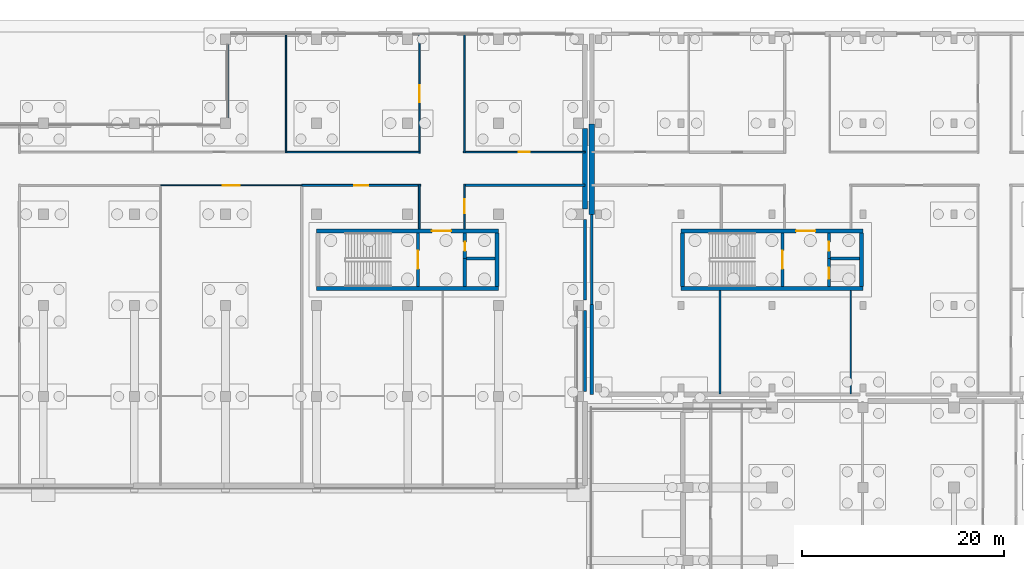
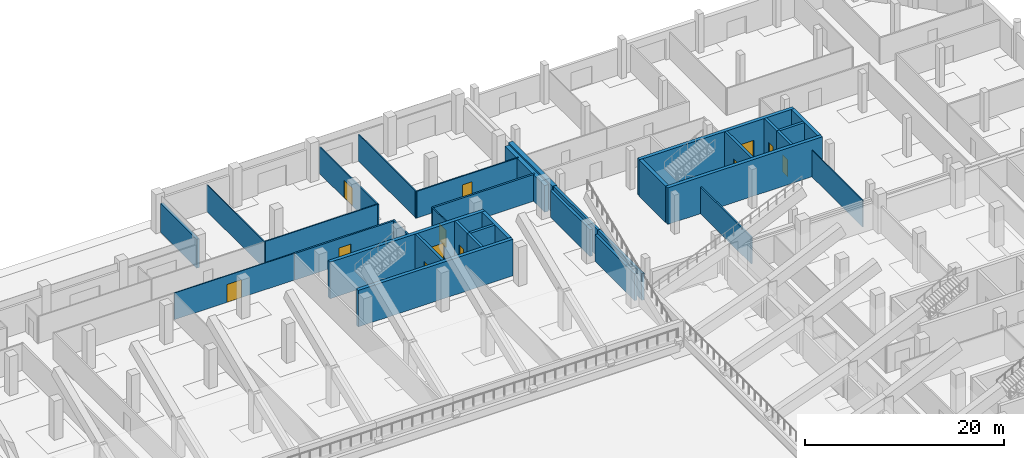
# One storey, part 37 of 53: 34 walls, 12 doors, 12 openings.
"""IFC4 building model written with IfcOpenShell, lengths in metres."""

from ifc_helpers import new_model, si_unit, direction, frame, frame_2d, origin, place, context, subcontext, project, spatial, rectangle, extrude, material, layer, layer_set, type_object, element, fill, save


model = new_model("IFC4")

# Units and contexts
model_context = context("Model", 3, precision=1e-05, world=origin(), true_north=direction((0.0, 1.0)))
body_context = subcontext(model_context, "Body", "Model", "MODEL_VIEW")
ifc_project = project(units=[si_unit("LENGTHUNIT", "METRE"), si_unit("AREAUNIT", "SQUARE_METRE"), si_unit("VOLUMEUNIT", "CUBIC_METRE"), si_unit("PLANEANGLEUNIT", "RADIAN"), si_unit("MASSUNIT", "GRAM", prefix="KILO"), si_unit("THERMODYNAMICTEMPERATUREUNIT", "KELVIN"), si_unit("POWERUNIT", "WATT")], contexts=[model_context])

# Site, building, storey
site_placement = place(None, origin())
site = spatial("IfcSite", under=ifc_project, at=site_placement, CompositionType="ELEMENT")
building_placement = place(site_placement, origin())
building = spatial("IfcBuilding", under=site, at=building_placement, Name="Sindhuravela Promenade Stadium", CompositionType="ELEMENT")
storey_placement = place(building_placement, origin())
storey = spatial("IfcBuildingStorey", under=building, at=storey_placement, Name="L00", CompositionType="ELEMENT", Elevation=0.0)

# Walls
ifc_material_1 = material(Name="Dholpur sandstone ashlar (45 MPa)", Category="masonry")
ifc_layer_1 = layer(ifc_material_1, 0.2900390625)
ifc_layer_set_1 = layer_set([ifc_layer_1], Name="Dholpur sandstone ashlar (45 MPa)")
wall_type_1 = type_object("IfcWallType", Name="EX-WL-SND290", PredefinedType="SOLIDWALL", material=ifc_layer_set_1)
wall_1_placement = place(storey_placement, frame((126.199951171875, 153.5048828125, 0.0), z_axis=(0.0, 0.0, 1.0), x_axis=(0.0, 1.0, 0.0)))
element("IfcWall", 1, at=wall_1_placement, inside=storey, type_object=wall_type_1, Name="Exterior masonry wall EW10 NORTH L00", PredefinedType="SOLIDWALL", context=body_context, shape_type="SweptSolid", body=[
    extrude(rectangle(XDim=7.2900390625, YDim=0.2900390625, at=frame_2d((3.64501953125, 0.0))), origin(), (0.0, 0.0, 1.0), 3.580078125),
])
wall_2_placement = place(storey_placement, frame((161.550048828125, 134.4951171875, 0.0), z_axis=(0.0, 0.0, 1.0), x_axis=(0.0, -1.0, 0.0)))
element("IfcWall", 2, at=wall_2_placement, inside=storey, type_object=wall_type_1, Name="Exterior masonry wall EW10 NORTH L00", PredefinedType="SOLIDWALL", context=body_context, shape_type="SweptSolid", body=[
    extrude(rectangle(XDim=7.990234375, YDim=0.2900390625, at=frame_2d((3.9951171875, 0.0))), origin(), (0.0, 0.0, 1.0), 3.280029296875),
])
wall_3_placement = place(storey_placement, frame((162.199951171875, 135.10009765625, 0.0), z_axis=(0.0, 0.0, 1.0), x_axis=(0.0, 1.0, 0.0)))
element("IfcWall", 3, at=wall_3_placement, inside=storey, type_object=wall_type_1, Name="Exterior masonry wall EW10 Pavilion NE L00", PredefinedType="SOLIDWALL", context=body_context, shape_type="SweptSolid", body=[
    extrude(rectangle(XDim=8.89990234375, YDim=0.2900390625, at=frame_2d((4.449951171875, 0.0))), origin(), (0.0, 0.0, 1.0), 3.280029296875),
])
ifc_layer_2 = layer(ifc_material_1, 0.31005859375)
ifc_layer_set_2 = layer_set([ifc_layer_2], Name="Dholpur sandstone ashlar (45 MPa)")
wall_type_2 = type_object("IfcWallType", Name="EX-WL-SND310", PredefinedType="SOLIDWALL", material=ifc_layer_set_2)
wall_4_placement = place(storey_placement, frame((161.550048828125, 143.4951171875, 0.0), z_axis=(0.0, 0.0, 1.0), x_axis=(0.0, -1.0, 0.0)))
element("IfcWall", 4, at=wall_4_placement, inside=storey, type_object=wall_type_2, Name="Exterior masonry wall EW09 NORTH L00", PredefinedType="SOLIDWALL", context=body_context, shape_type="SweptSolid", body=[
    extrude(rectangle(XDim=7.990234375, YDim=0.31005859375, at=frame_2d((3.9951171875, 0.0))), origin(), (0.0, 0.0, 1.0), 3.280029296875),
])
wall_5_placement = place(storey_placement, frame((162.199951171875, 126.199951171875, 0.0), z_axis=(0.0, 0.0, 1.0), x_axis=(0.0, 1.0, 0.0)))
element("IfcWall", 5, at=wall_5_placement, inside=storey, type_object=wall_type_2, Name="Exterior masonry wall EW09 Pavilion NE L00", PredefinedType="SOLIDWALL", context=body_context, shape_type="SweptSolid", body=[
    extrude(rectangle(XDim=8.900146484375, YDim=0.31005859375, at=frame_2d((4.4501953125, 0.0))), origin(), (0.0, 0.0, 1.0), 3.280029296875),
])
ifc_layer_3 = layer(ifc_material_1, 0.47998046875)
ifc_layer_set_3 = layer_set([ifc_layer_3], Name="Dholpur sandstone ashlar (45 MPa)")
wall_type_3 = type_object("IfcWallType", Name="EX-WL-SND480", PredefinedType="SOLIDWALL", material=ifc_layer_set_3)
wall_6_placement = place(storey_placement, frame((161.550048828125, 152.4951171875, 0.0), z_axis=(0.0, 0.0, 1.0), x_axis=(0.0, -1.0, 0.0)))
element("IfcWall", 6, at=wall_6_placement, inside=storey, type_object=wall_type_3, Name="Exterior masonry wall EW08 NORTH L00", PredefinedType="SOLIDWALL", context=body_context, shape_type="SweptSolid", body=[
    extrude(rectangle(XDim=7.990234375, YDim=0.47998046875, at=frame_2d((3.9951171875, 0.0))), origin(), (0.0, 0.0, 1.0), 3.280029296875),
])
ifc_layer_4 = layer(ifc_material_1, 0.5)
ifc_layer_set_4 = layer_set([ifc_layer_4], Name="Dholpur sandstone ashlar (45 MPa)")
wall_type_4 = type_object("IfcWallType", Name="EX-WL-SND500", PredefinedType="SOLIDWALL", material=ifc_layer_set_4)
wall_7_placement = place(storey_placement, frame((162.199951171875, 144.0, 0.0), z_axis=(0.0, 0.0, 1.0), x_axis=(0.0, 1.0, 0.0)))
element("IfcWall", 7, at=wall_7_placement, inside=storey, type_object=wall_type_4, Name="Exterior masonry wall EW07 Pavilion NE L00", PredefinedType="SOLIDWALL", context=body_context, shape_type="SweptSolid", body=[
    extrude(rectangle(XDim=8.89990234375, YDim=0.5, at=frame_2d((4.449951171875, 0.0))), origin(), (0.0, 0.0, 1.0), 3.280029296875),
])

# Wall, opening, door
ifc_material_2 = material(Name="Fire-rated gypsum partition board", Category="gypsum")
ifc_layer_5 = layer(ifc_material_2, 0.110107421875)
ifc_layer_set_5 = layer_set([ifc_layer_5], Name="Fire-rated gypsum partition board")
wall_type_5 = type_object("IfcWallType", Name="IN-WL-PAR110", PredefinedType="PARTITIONING", material=ifc_layer_set_5)
wall_8_placement = place(storey_placement, frame((133.534912109375, 146.860107421875, 0.0), z_axis=(0.0, 0.0, 1.0), x_axis=(-1.0, 0.0, 0.0)))
wall_8 = element("IfcWall", 8, at=wall_8_placement, inside=storey, type_object=wall_type_5, Name="Corridor partition IW06 Grounds Equipment Store", PredefinedType="PARTITIONING", context=body_context, shape_type="SweptSolid", body=[
    extrude(rectangle(XDim=13.947509765625, YDim=0.110107421875, at=frame_2d((6.9736328125, 0.0))), origin(), (0.0, 0.0, 1.0), 3.280029296875),
])
opening_1_placement = place(wall_8_placement, frame((6.123779296875, 0.0, 0.0)))
opening_1 = element("IfcOpeningElement", 9, at=opening_1_placement, cuts=wall_8, Name="Opening ID01", PredefinedType="OPENING", context=body_context, shape_type="SweptSolid", body=[
    extrude(rectangle(XDim=1.699951171875, YDim=2.199951171875, at=frame_2d((0.85009765625, 1.10009765625))), frame((0.0, 0.06494140625, 0.0), z_axis=(0.0, -1.0, 0.0), x_axis=(1.0, 0.0, 0.0)), (0.0, 0.0, 1.0), 0.130126953125),
])
ifc_material_3 = material(Name="Architectural teak timber leaf", Category="wood")
door_type_1 = type_object("IfcDoorType", Name="DR-INT-1700x2200", OperationType="DOUBLE_DOOR_SINGLE_SWING", PredefinedType="DOOR", material=ifc_material_3)
door_1_placement = place(opening_1_placement, origin())
door_1 = element("IfcDoor", 10, at=door_1_placement, inside=storey, type_object=door_type_1, Name="Grounds Equipment Store door", OperationType="DOUBLE_DOOR_SINGLE_SWING", OverallHeight=2.199951171875, OverallWidth=1.699951171875, PredefinedType="DOOR", context=body_context, shape_type="SweptSolid", body=[
    extrude(rectangle(XDim=1.699951171875, YDim=2.199951171875, at=frame_2d((0.85009765625, 1.10009765625))), frame((0.0, 0.02490234375, 0.0), z_axis=(0.0, -1.0, 0.0), x_axis=(1.0, 0.0, 0.0)), (0.0, 0.0, 1.0), 0.050048828125),
])
fill(opening_1, door_1)

# Walls
wall_9_placement = place(storey_placement, frame((131.98681640625, 150.06005859375, 0.0), z_axis=(0.0, 0.0, 1.0), x_axis=(0.0, 1.0, 0.0)))
element("IfcWall", 11, at=wall_9_placement, inside=storey, type_object=wall_type_5, Name="Interior partition IW06 NORTH L00", PredefinedType="PARTITIONING", context=body_context, shape_type="SweptSolid", body=[
    extrude(rectangle(XDim=11.699951171875, YDim=0.110107421875, at=frame_2d((5.85009765625, 0.0))), origin(), (0.0, 0.0, 1.0), 3.280029296875),
])
wall_10_placement = place(storey_placement, frame((187.800048828125, 126.239990234375, 0.0), z_axis=(0.0, 0.0, 1.0), x_axis=(0.0, 1.0, 0.0)))
element("IfcWall", 12, at=wall_10_placement, inside=storey, type_object=wall_type_5, Name="Interior partition IW06 Pavilion NE L00", PredefinedType="PARTITIONING", context=body_context, shape_type="SweptSolid", body=[
    extrude(rectangle(XDim=10.2080078125, YDim=0.110107421875, at=frame_2d((5.10400390625, 0.0))), origin(), (0.0, 0.0, 1.0), 3.280029296875),
])

# Wall, opening, door
ifc_layer_6 = layer(ifc_material_2, 0.1298828125)
ifc_layer_set_6 = layer_set([ifc_layer_6], Name="Fire-rated gypsum partition board")
wall_type_6 = type_object("IfcWallType", Name="IN-WL-PAR130", PredefinedType="PARTITIONING", material=ifc_layer_set_6)
wall_11_placement = place(storey_placement, frame((149.639892578125, 146.97998046875, 0.0), z_axis=(0.0, 0.0, 1.0), x_axis=(0.0, -1.0, 0.0)))
wall_11 = element("IfcWall", 13, at=wall_11_placement, inside=storey, type_object=wall_type_6, Name="Corridor partition IW05 Concourse Food Kiosk North L00", PredefinedType="PARTITIONING", context=body_context, shape_type="SweptSolid", body=[
    extrude(rectangle(XDim=4.427978515625, YDim=0.1298828125, at=frame_2d((2.2138671875, 0.0))), origin(), (0.0, 0.0, 1.0), 3.280029296875),
])
opening_2_placement = place(wall_11_placement, frame((1.5, 0.0, 0.0)))
opening_2 = element("IfcOpeningElement", 14, at=opening_2_placement, cuts=wall_11, Name="Opening ID03", PredefinedType="OPENING", context=body_context, shape_type="SweptSolid", body=[
    extrude(rectangle(XDim=1.39990234375, YDim=2.14990234375, at=frame_2d((0.699951171875, 1.074951171875))), frame((0.0, 0.074951171875, 0.0), z_axis=(0.0, -1.0, 0.0), x_axis=(1.0, 0.0, 0.0)), (0.0, 0.0, 1.0), 0.14990234375),
])
door_type_2 = type_object("IfcDoorType", Name="DR-INT-1400x2150", OperationType="DOUBLE_DOOR_SINGLE_SWING", PredefinedType="DOOR", material=ifc_material_3)
door_2_placement = place(opening_2_placement, origin())
door_2 = element("IfcDoor", 15, at=door_2_placement, inside=storey, type_object=door_type_2, Name="Concourse Food Kiosk North L00 door", OperationType="DOUBLE_DOOR_SINGLE_SWING", OverallHeight=2.14990234375, OverallWidth=1.39990234375, PredefinedType="DOOR", context=body_context, shape_type="SweptSolid", body=[
    extrude(rectangle(XDim=1.39990234375, YDim=2.14990234375, at=frame_2d((0.699951171875, 1.074951171875))), frame((0.0, 0.02490234375, 0.0), z_axis=(0.0, -1.0, 0.0), x_axis=(1.0, 0.0, 0.0)), (0.0, 0.0, 1.0), 0.050048828125),
])
fill(opening_2, door_2)

# Walls
wall_12_placement = place(storey_placement, frame((145.239990234375, 150.139892578125, 0.0), z_axis=(0.0, 0.0, 1.0), x_axis=(-1.0, 0.0, 0.0)))
element("IfcWall", 16, at=wall_12_placement, inside=storey, type_object=wall_type_6, Name="Interior partition IW05 NORTH L00", PredefinedType="PARTITIONING", context=body_context, shape_type="SweptSolid", body=[
    extrude(rectangle(XDim=13.21337890625, YDim=0.1298828125, at=frame_2d((6.606689453125, 0.0))), origin(), (0.0, 0.0, 1.0), 3.280029296875),
])
wall_13_placement = place(storey_placement, frame((149.639892578125, 150.06005859375, 0.0), z_axis=(0.0, 0.0, 1.0), x_axis=(0.0, 1.0, 0.0)))
element("IfcWall", 17, at=wall_13_placement, inside=storey, type_object=wall_type_6, Name="Interior partition IW05 NORTH L00", PredefinedType="PARTITIONING", context=body_context, shape_type="SweptSolid", body=[
    extrude(rectangle(XDim=11.699951171875, YDim=0.1298828125, at=frame_2d((5.85009765625, 0.0))), origin(), (0.0, 0.0, 1.0), 3.280029296875),
])

# Wall, opening, door
ifc_layer_7 = layer(ifc_material_2, 0.14990234375)
ifc_layer_set_7 = layer_set([ifc_layer_7], Name="Fire-rated gypsum partition board")
wall_type_7 = type_object("IfcWallType", Name="IN-WL-PAR150", PredefinedType="PARTITIONING", material=ifc_layer_set_7)
wall_14_placement = place(storey_placement, frame((145.159912109375, 150.02001953125, 0.0), z_axis=(0.0, 0.0, 1.0), x_axis=(0.0, 1.0, 0.0)))
wall_14 = element("IfcWall", 18, at=wall_14_placement, inside=storey, type_object=wall_type_7, Name="Corridor partition IW04 North Field Concourse Hall 2", PredefinedType="PARTITIONING", context=body_context, shape_type="SweptSolid", body=[
    extrude(rectangle(XDim=11.780029296875, YDim=0.14990234375, at=frame_2d((5.89013671875, 0.0))), origin(), (0.0, 0.0, 1.0), 3.280029296875),
])
opening_3_placement = place(wall_14_placement, frame((5.0400390625, 0.0, 0.0)))
opening_3 = element("IfcOpeningElement", 19, at=opening_3_placement, cuts=wall_14, Name="Opening ID01", PredefinedType="OPENING", context=body_context, shape_type="SweptSolid", body=[
    extrude(rectangle(XDim=1.699951171875, YDim=2.199951171875, at=frame_2d((0.85009765625, 1.10009765625))), frame((0.0, 0.0849609375, 0.0), z_axis=(0.0, -1.0, 0.0), x_axis=(1.0, 0.0, 0.0)), (0.0, 0.0, 1.0), 0.169921875),
])
door_3_placement = place(opening_3_placement, origin())
door_3 = element("IfcDoor", 20, at=door_3_placement, inside=storey, type_object=door_type_1, Name="North Field Concourse Hall 2 door", OperationType="DOUBLE_DOOR_SINGLE_SWING", OverallHeight=2.199951171875, OverallWidth=1.699951171875, PredefinedType="DOOR", context=body_context, shape_type="SweptSolid", body=[
    extrude(rectangle(XDim=1.699951171875, YDim=2.199951171875, at=frame_2d((0.85009765625, 1.10009765625))), frame((0.0, 0.02490234375, 0.0), z_axis=(0.0, -1.0, 0.0), x_axis=(1.0, 0.0, 0.0)), (0.0, 0.0, 1.0), 0.050048828125),
])
fill(opening_3, door_3)

wall_15_placement = place(storey_placement, frame((149.52001953125, 150.139892578125, 0.0), z_axis=(0.0, 0.0, 1.0), x_axis=(1.0, 0.0, 0.0)))
wall_15 = element("IfcWall", 21, at=wall_15_placement, inside=storey, type_object=wall_type_7, Name="Corridor partition IW04 Electrical Substation Switch Room 4", PredefinedType="PARTITIONING", context=body_context, shape_type="SweptSolid", body=[
    extrude(rectangle(XDim=12.030029296875, YDim=0.14990234375, at=frame_2d((6.01513671875, 0.0))), origin(), (0.0, 0.0, 1.0), 3.280029296875),
])
opening_4_placement = place(wall_15_placement, frame((5.455078125, 0.0, 0.0)))
opening_4 = element("IfcOpeningElement", 22, at=opening_4_placement, cuts=wall_15, Name="Opening ID13", PredefinedType="OPENING", context=body_context, shape_type="SweptSolid", body=[
    extrude(rectangle(XDim=1.1201171875, YDim=2.219970703125, at=frame_2d((0.56005859375, 1.10986328125))), frame((0.0, 0.0849609375, 0.0), z_axis=(0.0, -1.0, 0.0), x_axis=(1.0, 0.0, 0.0)), (0.0, 0.0, 1.0), 0.169921875),
])
door_type_3 = type_object("IfcDoorType", Name="DR-INT-1120x2220", OperationType="NOTDEFINED", PredefinedType="DOOR", material=ifc_material_3)
door_4_placement = place(opening_4_placement, origin())
door_4 = element("IfcDoor", 23, at=door_4_placement, inside=storey, type_object=door_type_3, Name="Electrical Substation Switch Room 4 door", OperationType="SINGLE_SWING_LEFT", OverallHeight=2.219970703125, OverallWidth=1.1201171875, PredefinedType="DOOR", context=body_context, shape_type="SweptSolid", body=[
    extrude(rectangle(XDim=1.1201171875, YDim=2.219970703125, at=frame_2d((0.56005859375, 1.10986328125))), frame((0.0, 0.02490234375, 0.0), z_axis=(0.0, -1.0, 0.0), x_axis=(1.0, 0.0, 0.0)), (0.0, 0.0, 1.0), 0.050048828125),
])
fill(opening_4, door_4)

# Walls
ifc_layer_8 = layer(ifc_material_2, 0.175048828125)
ifc_layer_set_8 = layer_set([ifc_layer_8], Name="Fire-rated gypsum partition board")
wall_type_8 = type_object("IfcWallType", Name="IN-WL-PAR175", PredefinedType="PARTITIONING", material=ifc_layer_set_8)
wall_16_placement = place(storey_placement, frame((145.159912109375, 146.93994140625, 0.0), z_axis=(0.0, 0.0, 1.0), x_axis=(0.0, -1.0, 0.0)))
element("IfcWall", 24, at=wall_16_placement, inside=storey, type_object=wall_type_8, Name="Interior partition IW03 NORTH L00", PredefinedType="PARTITIONING", context=body_context, shape_type="SweptSolid", body=[
    extrude(rectangle(XDim=4.387939453125, YDim=0.175048828125, at=frame_2d((2.19384765625, 0.0))), origin(), (0.0, 0.0, 1.0), 3.280029296875),
])
wall_17_placement = place(storey_placement, frame((174.8798828125, 136.447998046875, 0.0), z_axis=(0.0, 0.0, 1.0), x_axis=(0.0, -1.0, 0.0)))
element("IfcWall", 25, at=wall_17_placement, inside=storey, type_object=wall_type_8, Name="Interior partition IW03 Pavilion NE L00", PredefinedType="PARTITIONING", context=body_context, shape_type="SweptSolid", body=[
    extrude(rectangle(XDim=10.2080078125, YDim=0.175048828125, at=frame_2d((5.10400390625, 0.0))), origin(), (0.0, 0.0, 1.0), 3.280029296875),
])

# Wall, opening, door
ifc_layer_9 = layer(ifc_material_2, 0.195068359375)
ifc_layer_set_9 = layer_set([ifc_layer_9], Name="Fire-rated gypsum partition board")
wall_type_9 = type_object("IfcWallType", Name="IN-WL-PAR195", PredefinedType="PARTITIONING", material=ifc_layer_set_9)
wall_18_placement = place(storey_placement, frame((145.280029296875, 146.860107421875, 0.0), z_axis=(0.0, 0.0, 1.0), x_axis=(-1.0, 0.0, 0.0)))
wall_18 = element("IfcWall", 26, at=wall_18_placement, inside=storey, type_object=wall_type_9, Name="Corridor partition IW02 Public Toilet Block North L00", PredefinedType="PARTITIONING", context=body_context, shape_type="SweptSolid", body=[
    extrude(rectangle(XDim=11.7451171875, YDim=0.195068359375, at=frame_2d((5.87255859375, 0.0))), origin(), (0.0, 0.0, 1.0), 3.280029296875),
])
opening_5_placement = place(wall_18_placement, frame((5.172607421875, 0.0, 0.0)))
opening_5 = element("IfcOpeningElement", 27, at=opening_5_placement, cuts=wall_18, Name="Opening ID03", PredefinedType="OPENING", context=body_context, shape_type="SweptSolid", body=[
    extrude(rectangle(XDim=1.39990234375, YDim=2.14990234375, at=frame_2d((0.699951171875, 1.074951171875))), frame((0.0, 0.107421875, 0.0), z_axis=(0.0, -1.0, 0.0), x_axis=(1.0, 0.0, 0.0)), (0.0, 0.0, 1.0), 0.215087890625),
])
door_5_placement = place(opening_5_placement, origin())
door_5 = element("IfcDoor", 28, at=door_5_placement, inside=storey, type_object=door_type_2, Name="Public Toilet Block North L00 door", OperationType="DOUBLE_DOOR_SINGLE_SWING", OverallHeight=2.14990234375, OverallWidth=1.39990234375, PredefinedType="DOOR", context=body_context, shape_type="SweptSolid", body=[
    extrude(rectangle(XDim=1.39990234375, YDim=2.14990234375, at=frame_2d((0.699951171875, 1.074951171875))), frame((0.0, 0.02490234375, 0.0), z_axis=(0.0, -1.0, 0.0), x_axis=(1.0, 0.0, 0.0)), (0.0, 0.0, 1.0), 0.050048828125),
])
fill(opening_5, door_5)

# Wall
ifc_layer_10 = layer(ifc_material_2, 0.219970703125)
ifc_layer_set_10 = layer_set([ifc_layer_10], Name="Fire-rated gypsum partition board")
wall_type_10 = type_object("IfcWallType", Name="IN-WL-PAR220", PredefinedType="PARTITIONING", material=ifc_layer_set_10)
wall_19_placement = place(storey_placement, frame((149.56005859375, 146.860107421875, 0.0), z_axis=(0.0, 0.0, 1.0), x_axis=(1.0, 0.0, 0.0)))
element("IfcWall", 29, at=wall_19_placement, inside=storey, type_object=wall_type_10, Name="Interior partition IW01 NORTH L00", PredefinedType="PARTITIONING", context=body_context, shape_type="SweptSolid", body=[
    extrude(rectangle(XDim=11.949951171875, YDim=0.219970703125, at=frame_2d((5.97509765625, 0.0))), origin(), (0.0, 0.0, 1.0), 3.280029296875),
])

# Wall, opening, door
ifc_material_4 = material(Name="Concrete M50", Category="concrete")
ifc_layer_11 = layer(ifc_material_4, 0.300048828125)
ifc_layer_set_11 = layer_set([ifc_layer_11], Name="Concrete M50")
wall_type_11 = type_object("IfcWallType", Name="RC-SW-300", PredefinedType="SHEAR", material=ifc_layer_set_11)
wall_20_placement = place(storey_placement, frame((145.050048828125, 136.85009765625, 0.0), z_axis=(0.0, 0.0, 1.0), x_axis=(0.0, 1.0, 0.0)))
wall_20 = element("IfcWall", 30, at=wall_20_placement, inside=storey, type_object=wall_type_11, Name="Core shear wall C10-ST (L00)", PredefinedType="SHEAR", context=body_context, shape_type="SweptSolid", body=[
    extrude(rectangle(XDim=5.2998046875, YDim=0.300048828125, at=frame_2d((2.64990234375, 0.0))), origin(), (0.0, 0.0, 1.0), 4.5),
])
opening_6_placement = place(wall_20_placement, frame((1.75, 0.0, 0.0)))
opening_6 = element("IfcOpeningElement", 31, at=opening_6_placement, cuts=wall_20, Name="Opening FD01", PredefinedType="OPENING", context=body_context, shape_type="SweptSolid", body=[
    extrude(rectangle(XDim=1.800048828125, YDim=2.25, at=frame_2d((0.89990234375, 1.125))), frame((0.0, 0.159912109375, 0.0), z_axis=(0.0, -1.0, 0.0), x_axis=(1.0, 0.0, 0.0)), (0.0, 0.0, 1.0), 0.320068359375),
])
ifc_material_5 = material(Name="Architectural wrought steel E350", Category="steel")
door_type_4 = type_object("IfcDoorType", Name="DR-CORE-1800x2250", OperationType="DOUBLE_DOOR_SINGLE_SWING", PredefinedType="DOOR", material=ifc_material_5)
door_6_placement = place(opening_6_placement, origin())
door_6 = element("IfcDoor", 32, at=door_6_placement, inside=storey, type_object=door_type_4, Name="Stair ST10 lobby fire door (L00)", OperationType="DOUBLE_DOOR_SINGLE_SWING", OverallHeight=2.25, OverallWidth=1.800048828125, PredefinedType="DOOR", context=body_context, shape_type="SweptSolid", body=[
    extrude(rectangle(XDim=1.800048828125, YDim=2.25, at=frame_2d((0.89990234375, 1.125))), frame((0.0, 0.02490234375, 0.0), z_axis=(0.0, -1.0, 0.0), x_axis=(1.0, 0.0, 0.0)), (0.0, 0.0, 1.0), 0.050048828125),
])
fill(opening_6, door_6)

# Wall
wall_21_placement = place(storey_placement, frame((149.64990234375, 136.85009765625, 0.0), z_axis=(0.0, 0.0, 1.0), x_axis=(0.0, 1.0, 0.0)))
element("IfcWall", 33, at=wall_21_placement, inside=storey, type_object=wall_type_11, Name="Core shear wall C10-LFT (L00)", PredefinedType="SHEAR", context=body_context, shape_type="SweptSolid", body=[
    extrude(rectangle(XDim=2.7998046875, YDim=0.300048828125, at=frame_2d((1.39990234375, 0.0))), origin(), (0.0, 0.0, 1.0), 4.5),
])

# Wall, opening, door
wall_22_placement = place(storey_placement, frame((149.64990234375, 139.64990234375, 0.0), z_axis=(0.0, 0.0, 1.0), x_axis=(0.0, 1.0, 0.0)))
wall_22 = element("IfcWall", 34, at=wall_22_placement, inside=storey, type_object=wall_type_11, Name="Core shear wall C10-RSR (L00)", PredefinedType="SHEAR", context=body_context, shape_type="SweptSolid", body=[
    extrude(rectangle(XDim=2.5, YDim=0.300048828125, at=frame_2d((1.25, 0.0))), origin(), (0.0, 0.0, 1.0), 4.5),
])
opening_7_placement = place(wall_22_placement, frame((0.72509765625, 0.0, 0.0)))
opening_7 = element("IfcOpeningElement", 35, at=opening_7_placement, cuts=wall_22, Name="Opening FD03", PredefinedType="OPENING", context=body_context, shape_type="SweptSolid", body=[
    extrude(rectangle(XDim=0.89990234375, YDim=2.10009765625, at=frame_2d((0.449951171875, 1.050048828125))), frame((0.0, 0.159912109375, 0.0), z_axis=(0.0, -1.0, 0.0), x_axis=(1.0, 0.0, 0.0)), (0.0, 0.0, 1.0), 0.320068359375),
])
door_type_5 = type_object("IfcDoorType", Name="DR-RSR-900x2100", OperationType="NOTDEFINED", PredefinedType="DOOR", material=ifc_material_5)
door_7_placement = place(opening_7_placement, origin())
door_7 = element("IfcDoor", 36, at=door_7_placement, inside=storey, type_object=door_type_5, Name="Riser shaft access door C10 (L00)", OperationType="SINGLE_SWING_LEFT", OverallHeight=2.10009765625, OverallWidth=0.89990234375, PredefinedType="DOOR", context=body_context, shape_type="SweptSolid", body=[
    extrude(rectangle(XDim=0.89990234375, YDim=2.10009765625, at=frame_2d((0.449951171875, 1.050048828125))), frame((0.0, 0.02490234375, 0.0), z_axis=(0.0, -1.0, 0.0), x_axis=(1.0, 0.0, 0.0)), (0.0, 0.0, 1.0), 0.050048828125),
])
fill(opening_7, door_7)

# Wall
wall_23_placement = place(storey_placement, frame((149.800048828125, 139.64990234375, 0.0), z_axis=(0.0, 0.0, 1.0), x_axis=(1.0, 0.0, 0.0)))
element("IfcWall", 37, at=wall_23_placement, inside=storey, type_object=wall_type_11, Name="Core shear wall C10-DIV (L00)", PredefinedType="SHEAR", context=body_context, shape_type="SweptSolid", body=[
    extrude(rectangle(XDim=2.849853515625, YDim=0.300048828125, at=frame_2d((1.4248046875, 0.0))), origin(), (0.0, 0.0, 1.0), 4.5),
])

# Wall, opening, door
wall_24_placement = place(storey_placement, frame((181.050048828125, 136.85009765625, 0.0), z_axis=(0.0, 0.0, 1.0), x_axis=(0.0, 1.0, 0.0)))
wall_24 = element("IfcWall", 38, at=wall_24_placement, inside=storey, type_object=wall_type_11, Name="Core shear wall C16-ST (L00)", PredefinedType="SHEAR", context=body_context, shape_type="SweptSolid", body=[
    extrude(rectangle(XDim=5.2998046875, YDim=0.300048828125, at=frame_2d((2.64990234375, 0.0))), origin(), (0.0, 0.0, 1.0), 4.5),
])
opening_8_placement = place(wall_24_placement, frame((1.75, 0.0, 0.0)))
opening_8 = element("IfcOpeningElement", 39, at=opening_8_placement, cuts=wall_24, Name="Opening FD01", PredefinedType="OPENING", context=body_context, shape_type="SweptSolid", body=[
    extrude(rectangle(XDim=1.800048828125, YDim=2.25, at=frame_2d((0.89990234375, 1.125))), frame((0.0, 0.159912109375, 0.0), z_axis=(0.0, -1.0, 0.0), x_axis=(1.0, 0.0, 0.0)), (0.0, 0.0, 1.0), 0.320068359375),
])
door_8_placement = place(opening_8_placement, origin())
door_8 = element("IfcDoor", 40, at=door_8_placement, inside=storey, type_object=door_type_4, Name="Stair GS04 lobby fire door (L00)", OperationType="DOUBLE_DOOR_SINGLE_SWING", OverallHeight=2.25, OverallWidth=1.800048828125, PredefinedType="DOOR", context=body_context, shape_type="SweptSolid", body=[
    extrude(rectangle(XDim=1.800048828125, YDim=2.25, at=frame_2d((0.89990234375, 1.125))), frame((0.0, 0.02490234375, 0.0), z_axis=(0.0, -1.0, 0.0), x_axis=(1.0, 0.0, 0.0)), (0.0, 0.0, 1.0), 0.050048828125),
])
fill(opening_8, door_8)

wall_25_placement = place(storey_placement, frame((185.64990234375, 136.85009765625, 0.0), z_axis=(0.0, 0.0, 1.0), x_axis=(0.0, 1.0, 0.0)))
wall_25 = element("IfcWall", 41, at=wall_25_placement, inside=storey, type_object=wall_type_11, Name="Core shear wall C16-LFT (L00)", PredefinedType="SHEAR", context=body_context, shape_type="SweptSolid", body=[
    extrude(rectangle(XDim=2.7998046875, YDim=0.300048828125, at=frame_2d((1.39990234375, 0.0))), origin(), (0.0, 0.0, 1.0), 4.5),
])
opening_9_placement = place(wall_25_placement, frame((0.77490234375, 0.0, 0.0)))
opening_9 = element("IfcOpeningElement", 42, at=opening_9_placement, cuts=wall_25, Name="Opening LD", PredefinedType="OPENING", context=body_context, shape_type="SweptSolid", body=[
    extrude(rectangle(XDim=1.10009765625, YDim=2.10009765625, at=frame_2d((0.550048828125, 1.050048828125))), frame((0.0, 0.159912109375, 0.0), z_axis=(0.0, -1.0, 0.0), x_axis=(1.0, 0.0, 0.0)), (0.0, 0.0, 1.0), 0.320068359375),
])
door_type_6 = type_object("IfcDoorType", Name="DR-LFT-1100x2100", OperationType="DOUBLE_DOOR_SLIDING", PredefinedType="DOOR", material=ifc_material_5)
door_9_placement = place(opening_9_placement, origin())
door_9 = element("IfcDoor", 43, at=door_9_placement, inside=storey, type_object=door_type_6, Name="Lift PL08 landing door (L00)", OperationType="DOUBLE_DOOR_SLIDING", OverallHeight=2.10009765625, OverallWidth=1.10009765625, PredefinedType="DOOR", context=body_context, shape_type="SweptSolid", body=[
    extrude(rectangle(XDim=1.10009765625, YDim=2.10009765625, at=frame_2d((0.550048828125, 1.050048828125))), frame((0.0, 0.02490234375, 0.0), z_axis=(0.0, -1.0, 0.0), x_axis=(1.0, 0.0, 0.0)), (0.0, 0.0, 1.0), 0.050048828125),
])
fill(opening_9, door_9)

wall_26_placement = place(storey_placement, frame((185.64990234375, 139.64990234375, 0.0), z_axis=(0.0, 0.0, 1.0), x_axis=(0.0, 1.0, 0.0)))
wall_26 = element("IfcWall", 44, at=wall_26_placement, inside=storey, type_object=wall_type_11, Name="Core shear wall C16-RSR (L00)", PredefinedType="SHEAR", context=body_context, shape_type="SweptSolid", body=[
    extrude(rectangle(XDim=2.5, YDim=0.300048828125, at=frame_2d((1.25, 0.0))), origin(), (0.0, 0.0, 1.0), 4.5),
])
opening_10_placement = place(wall_26_placement, frame((0.72509765625, 0.0, 0.0)))
opening_10 = element("IfcOpeningElement", 45, at=opening_10_placement, cuts=wall_26, Name="Opening FD03", PredefinedType="OPENING", context=body_context, shape_type="SweptSolid", body=[
    extrude(rectangle(XDim=0.89990234375, YDim=2.10009765625, at=frame_2d((0.449951171875, 1.050048828125))), frame((0.0, 0.159912109375, 0.0), z_axis=(0.0, -1.0, 0.0), x_axis=(1.0, 0.0, 0.0)), (0.0, 0.0, 1.0), 0.320068359375),
])
door_10_placement = place(opening_10_placement, origin())
door_10 = element("IfcDoor", 46, at=door_10_placement, inside=storey, type_object=door_type_5, Name="Riser shaft access door C16 (L00)", OperationType="SINGLE_SWING_LEFT", OverallHeight=2.10009765625, OverallWidth=0.89990234375, PredefinedType="DOOR", context=body_context, shape_type="SweptSolid", body=[
    extrude(rectangle(XDim=0.89990234375, YDim=2.10009765625, at=frame_2d((0.449951171875, 1.050048828125))), frame((0.0, 0.02490234375, 0.0), z_axis=(0.0, -1.0, 0.0), x_axis=(1.0, 0.0, 0.0)), (0.0, 0.0, 1.0), 0.050048828125),
])
fill(opening_10, door_10)

# Walls
wall_27_placement = place(storey_placement, frame((185.800048828125, 139.64990234375, 0.0), z_axis=(0.0, 0.0, 1.0), x_axis=(1.0, 0.0, 0.0)))
element("IfcWall", 47, at=wall_27_placement, inside=storey, type_object=wall_type_11, Name="Core shear wall C16-DIV (L00)", PredefinedType="SHEAR", context=body_context, shape_type="SweptSolid", body=[
    extrude(rectangle(XDim=2.849853515625, YDim=0.300048828125, at=frame_2d((1.4248046875, 0.0))), origin(), (0.0, 0.0, 1.0), 4.5),
])
ifc_layer_12 = layer(ifc_material_4, 0.39990234375)
ifc_layer_set_12 = layer_set([ifc_layer_12], Name="Concrete M50")
wall_type_12 = type_object("IfcWallType", Name="RC-SW-400", PredefinedType="SHEAR", material=ifc_layer_set_12)
wall_28_placement = place(storey_placement, frame((135.0, 136.64990234375, 0.0), z_axis=(0.0, 0.0, 1.0), x_axis=(1.0, 0.0, 0.0)))
element("IfcWall", 48, at=wall_28_placement, inside=storey, type_object=wall_type_12, Name="Core shear wall C10-S (L00)", PredefinedType="SHEAR", context=body_context, shape_type="SweptSolid", body=[
    extrude(rectangle(XDim=18.0, YDim=0.39990234375, at=frame_2d((9.0, 0.0))), origin(), (0.0, 0.0, 1.0), 4.5),
])

# Wall, opening, door
wall_29_placement = place(storey_placement, frame((153.0, 142.35009765625, 0.0), z_axis=(0.0, 0.0, 1.0), x_axis=(-1.0, 0.0, 0.0)))
wall_29 = element("IfcWall", 49, at=wall_29_placement, inside=storey, type_object=wall_type_12, Name="Core shear wall C10-N (L00)", PredefinedType="SHEAR", context=body_context, shape_type="SweptSolid", body=[
    extrude(rectangle(XDim=18.0, YDim=0.39990234375, at=frame_2d((9.0, 0.0))), origin(), (0.0, 0.0, 1.0), 4.5),
])
opening_11_placement = place(wall_29_placement, frame((4.699951171875, 0.0, 0.0)))
opening_11 = element("IfcOpeningElement", 50, at=opening_11_placement, cuts=wall_29, Name="Opening FD02", PredefinedType="OPENING", context=body_context, shape_type="SweptSolid", body=[
    extrude(rectangle(XDim=1.89990234375, YDim=2.25, at=frame_2d((0.949951171875, 1.125))), frame((0.0, 0.2099609375, 0.0), z_axis=(0.0, -1.0, 0.0), x_axis=(1.0, 0.0, 0.0)), (0.0, 0.0, 1.0), 0.419921875),
])
door_type_7 = type_object("IfcDoorType", Name="DR-LOB-1900x2250", OperationType="DOUBLE_DOOR_SINGLE_SWING", PredefinedType="DOOR", material=ifc_material_5)
door_11_placement = place(opening_11_placement, origin())
door_11 = element("IfcDoor", 51, at=door_11_placement, inside=storey, type_object=door_type_7, Name="Protected lobby entrance door C10 (L00)", OperationType="DOUBLE_DOOR_SINGLE_SWING", OverallHeight=2.25, OverallWidth=1.89990234375, PredefinedType="DOOR", context=body_context, shape_type="SweptSolid", body=[
    extrude(rectangle(XDim=1.89990234375, YDim=2.25, at=frame_2d((0.949951171875, 1.125))), frame((0.0, 0.02490234375, 0.0), z_axis=(0.0, -1.0, 0.0), x_axis=(1.0, 0.0, 0.0)), (0.0, 0.0, 1.0), 0.050048828125),
])
fill(opening_11, door_11)

# Walls
wall_30_placement = place(storey_placement, frame((152.85009765625, 136.85009765625, 0.0), z_axis=(0.0, 0.0, 1.0), x_axis=(0.0, 1.0, 0.0)))
element("IfcWall", 52, at=wall_30_placement, inside=storey, type_object=wall_type_12, Name="Core shear wall C10-E (L00)", PredefinedType="SHEAR", context=body_context, shape_type="SweptSolid", body=[
    extrude(rectangle(XDim=5.2998046875, YDim=0.39990234375, at=frame_2d((2.64990234375, 0.0))), origin(), (0.0, 0.0, 1.0), 4.5),
])
wall_31_placement = place(storey_placement, frame((171.0, 136.64990234375, 0.0), z_axis=(0.0, 0.0, 1.0), x_axis=(1.0, 0.0, 0.0)))
element("IfcWall", 53, at=wall_31_placement, inside=storey, type_object=wall_type_12, Name="Core shear wall C16-S (L00)", PredefinedType="SHEAR", context=body_context, shape_type="SweptSolid", body=[
    extrude(rectangle(XDim=18.0, YDim=0.39990234375, at=frame_2d((9.0, 0.0))), origin(), (0.0, 0.0, 1.0), 4.5),
])

# Wall, opening, door
wall_32_placement = place(storey_placement, frame((189.0, 142.35009765625, 0.0), z_axis=(0.0, 0.0, 1.0), x_axis=(-1.0, 0.0, 0.0)))
wall_32 = element("IfcWall", 54, at=wall_32_placement, inside=storey, type_object=wall_type_12, Name="Core shear wall C16-N (L00)", PredefinedType="SHEAR", context=body_context, shape_type="SweptSolid", body=[
    extrude(rectangle(XDim=18.0, YDim=0.39990234375, at=frame_2d((9.0, 0.0))), origin(), (0.0, 0.0, 1.0), 4.5),
])
opening_12_placement = place(wall_32_placement, frame((4.699951171875, 0.0, 0.0)))
opening_12 = element("IfcOpeningElement", 55, at=opening_12_placement, cuts=wall_32, Name="Opening FD02", PredefinedType="OPENING", context=body_context, shape_type="SweptSolid", body=[
    extrude(rectangle(XDim=1.89990234375, YDim=2.25, at=frame_2d((0.949951171875, 1.125))), frame((0.0, 0.2099609375, 0.0), z_axis=(0.0, -1.0, 0.0), x_axis=(1.0, 0.0, 0.0)), (0.0, 0.0, 1.0), 0.419921875),
])
door_12_placement = place(opening_12_placement, origin())
door_12 = element("IfcDoor", 56, at=door_12_placement, inside=storey, type_object=door_type_7, Name="Protected lobby entrance door C16 (L00)", OperationType="DOUBLE_DOOR_SINGLE_SWING", OverallHeight=2.25, OverallWidth=1.89990234375, PredefinedType="DOOR", context=body_context, shape_type="SweptSolid", body=[
    extrude(rectangle(XDim=1.89990234375, YDim=2.25, at=frame_2d((0.949951171875, 1.125))), frame((0.0, 0.02490234375, 0.0), z_axis=(0.0, -1.0, 0.0), x_axis=(1.0, 0.0, 0.0)), (0.0, 0.0, 1.0), 0.050048828125),
])
fill(opening_12, door_12)

# Walls
for number, where, z_axis, x_axis, name in (
    (57, (171.14990234375, 142.14990234375, 0.0), (0.0, 0.0, 1.0), (0.0, -1.0, 0.0), "Core shear wall C16-W (L00)"),
    (58, (188.85009765625, 136.85009765625, 0.0), (0.0, 0.0, 1.0), (0.0, 1.0, 0.0), "Core shear wall C16-E (L00)"),
):
    element("IfcWall", number, at=place(storey_placement, frame(where, z_axis=z_axis, x_axis=x_axis)), inside=storey, type_object=wall_type_12, Name=name, PredefinedType="SHEAR", context=body_context, shape_type="SweptSolid", body=[
        extrude(rectangle(XDim=5.2998046875, YDim=0.39990234375, at=frame_2d((2.64990234375, 0.0))), origin(), (0.0, 0.0, 1.0), 4.5),
    ])

save(model, "model.ifc")
